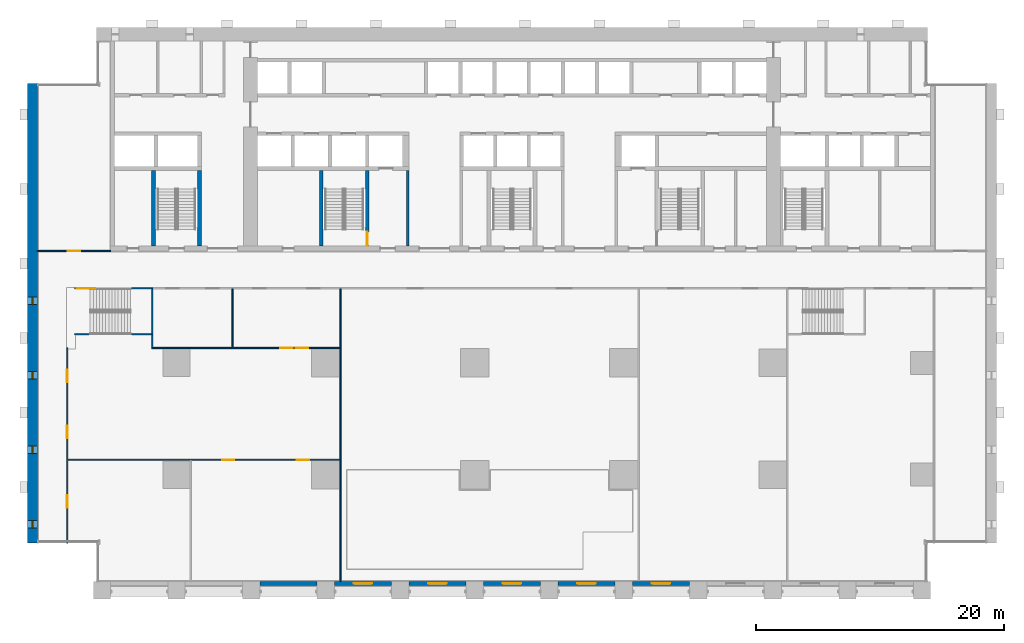
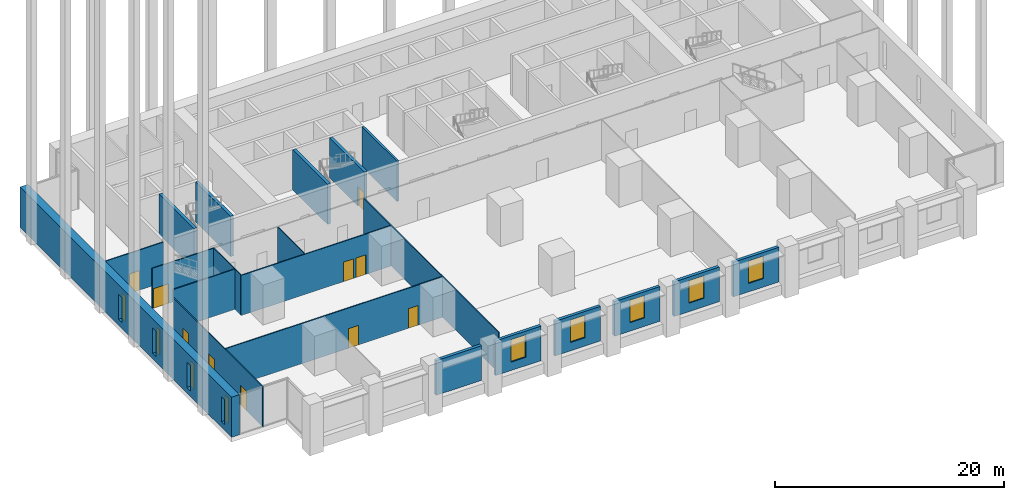
# One storey, part 7 of 17: 22 walls, 10 doors, 9 windows, 19 openings.
"""IFC4 building model written with IfcOpenShell, lengths in metres."""

from ifc_helpers import new_model, si_unit, direction, frame, frame_2d, origin, place, context, subcontext, project, spatial, rectangle, extrude, material, layer, layer_set, type_object, element, fill, save


model = new_model("IFC4")

# Units and contexts
model_context = context("Model", 3, precision=1e-05, world=origin(), true_north=direction((0.0, 1.0)))
body_context = subcontext(model_context, "Body", "Model", "MODEL_VIEW")
ifc_project = project(units=[si_unit("LENGTHUNIT", "METRE"), si_unit("AREAUNIT", "SQUARE_METRE"), si_unit("VOLUMEUNIT", "CUBIC_METRE"), si_unit("PLANEANGLEUNIT", "RADIAN"), si_unit("MASSUNIT", "GRAM", prefix="KILO")], contexts=[model_context])

# Site, building, storey
site_placement = place(None, origin())
site = spatial("IfcSite", under=ifc_project, at=site_placement, CompositionType="ELEMENT")
building_placement = place(site_placement, origin())
building = spatial("IfcBuilding", under=site, at=building_placement, Name="Calvaro Tower", CompositionType="ELEMENT")
storey_placement = place(building_placement, frame((0.0, 0.0, 6.5)))
storey = spatial("IfcBuildingStorey", under=building, at=storey_placement, Name="L01", CompositionType="ELEMENT", Elevation=6.5)

# Walls
ifc_material_1 = material(Name="Blockwork partition", Category="masonry")
ifc_layer_1 = layer(ifc_material_1, 0.199951171875)
ifc_layer_set_1 = layer_set([ifc_layer_1], Name="Blockwork partition")
wall_type_1 = type_object("IfcWallType", Name="Core partition 200 REI 120", PredefinedType="PARTITIONING", material=ifc_layer_set_1)
wall_1_placement = place(storey_placement, frame((30.60009765625, 28.39990234375, 0.0), z_axis=(0.0, 0.0, 1.0), x_axis=(0.0, 1.0, 0.0)))
element("IfcWall", 1, at=wall_1_placement, inside=storey, type_object=wall_type_1, Name="Core partition", PredefinedType="PARTITIONING", context=body_context, shape_type="SweptSolid", body=[
    extrude(rectangle(XDim=6.10009765625, YDim=0.199951171875, at=frame_2d((3.050048828125, 0.0))), origin(), (0.0, 0.0, 1.0), 4.300048828125),
])
ifc_material_2 = material(Name="Concrete C80/95", Category="concrete")
ifc_layer_2 = layer(ifc_material_2, 0.300048828125)
ifc_layer_set_2 = layer_set([ifc_layer_2], Name="Concrete C80/95")
wall_type_2 = type_object("IfcWallType", Name="Core wall C80/95 300", PredefinedType="SHEAR", material=ifc_layer_set_2)
for number, where, z_axis, x_axis, name in (
    (2, (10.14990234375, 28.39990234375, 0.0), (0.0, 0.0, 1.0), (0.0, 1.0, 0.0), "Core wall, stair enclosure"),
    (3, (13.85009765625, 28.39990234375, 0.0), (0.0, 0.0, 1.0), (0.0, 1.0, 0.0), "Core wall, stair enclosure"),
    (4, (23.64990234375, 28.39990234375, 0.0), (0.0, 0.0, 1.0), (0.0, 1.0, 0.0), "Core wall, stair enclosure"),
):
    element("IfcWall", number, at=place(storey_placement, frame(where, z_axis=z_axis, x_axis=x_axis)), inside=storey, type_object=wall_type_2, Name=name, PredefinedType="SHEAR", context=body_context, shape_type="SweptSolid", body=[
        extrude(rectangle(XDim=6.10009765625, YDim=0.300048828125, at=frame_2d((3.050048828125, 0.0))), origin(), (0.0, 0.0, 1.0), 4.300048828125),
    ])

# Wall, opening, door
wall_2_placement = place(storey_placement, frame((27.35009765625, 28.39990234375, 0.0), z_axis=(0.0, 0.0, 1.0), x_axis=(0.0, 1.0, 0.0)))
wall_2 = element("IfcWall", 5, at=wall_2_placement, inside=storey, type_object=wall_type_2, Name="Core wall, stair enclosure", PredefinedType="SHEAR", context=body_context, shape_type="SweptSolid", body=[
    extrude(rectangle(XDim=6.10009765625, YDim=0.300048828125, at=frame_2d((3.050048828125, 0.0))), origin(), (0.0, 0.0, 1.0), 4.300048828125),
])
opening_1_placement = place(wall_2_placement, frame((0.050048828125, 0.0, 0.0)))
opening_1 = element("IfcOpeningElement", 6, at=opening_1_placement, cuts=wall_2, Name="Opening FD11D", PredefinedType="OPENING", context=body_context, shape_type="SweptSolid", body=[
    extrude(rectangle(XDim=1.10009765625, YDim=2.10009765625, at=frame_2d((0.550048828125, 1.050048828125))), frame((0.0, 0.159912109375, 0.0), z_axis=(0.0, -1.0, 0.0), x_axis=(1.0, 0.0, 0.0)), (0.0, 0.0, 1.0), 0.320068359375),
])
ifc_material_3 = material(Name="Steel door set", Category="steel")
door_type_1 = type_object("IfcDoorType", Name="Fire door 1100 FD30S", OperationType="SINGLE_SWING_LEFT", PredefinedType="DOOR", material=ifc_material_3)
door_1_placement = place(opening_1_placement, origin())
door_1 = element("IfcDoor", 7, at=door_1_placement, inside=storey, type_object=door_type_1, Name="Fire door", OperationType="SINGLE_SWING_LEFT", OverallHeight=2.10009765625, OverallWidth=1.10009765625, PredefinedType="DOOR", context=body_context, shape_type="SweptSolid", body=[
    extrude(rectangle(XDim=1.10009765625, YDim=2.10009765625, at=frame_2d((0.550048828125, 1.050048828125))), frame((0.0, 0.02490234375, 0.0), z_axis=(0.0, -1.0, 0.0), x_axis=(1.0, 0.0, 0.0)), (0.0, 0.0, 1.0), 0.050048828125),
])
fill(opening_1, door_1)

# Wall, openings, windows
ifc_material_4 = material(Name="Concrete C80/95", Category="concrete")
ifc_layer_3 = layer(ifc_material_4, 0.800048828125)
ifc_layer_set_3 = layer_set([ifc_layer_3], Name="Concrete C80/95")
wall_type_3 = type_object("IfcWallType", Name="End wall 800 C80/95", PredefinedType="SHEAR", material=ifc_layer_set_3)
wall_3_placement = place(storey_placement, frame((0.39990234375, 4.5, 0.0), z_axis=(0.0, 0.0, 1.0), x_axis=(0.0, 1.0, 0.0)))
wall_3 = element("IfcWall", 8, at=wall_3_placement, inside=storey, type_object=wall_type_3, Name="End shear wall", PredefinedType="SHEAR", context=body_context, shape_type="SweptSolid", body=[
    extrude(rectangle(XDim=37.0, YDim=0.800048828125, at=frame_2d((18.5, 0.0))), origin(), (0.0, 0.0, 1.0), 4.300048828125),
])
opening_2_placement = place(wall_3_placement, frame((1.199951171875, 0.0, 0.60009765625)))
opening_2 = element("IfcOpeningElement", 9, at=opening_2_placement, cuts=wall_3, Name="Opening WW01", PredefinedType="OPENING", context=body_context, shape_type="SweptSolid", body=[
    extrude(rectangle(XDim=0.60009765625, YDim=2.699951171875, at=frame_2d((0.300048828125, 1.35009765625))), frame((0.0, 0.409912109375, 0.0), z_axis=(0.0, -1.0, 0.0), x_axis=(1.0, 0.0, 0.0)), (0.0, 0.0, 1.0), 0.820068359375),
])
opening_3_placement = place(wall_3_placement, frame((7.199951171875, 0.0, 0.60009765625)))
opening_3 = element("IfcOpeningElement", 10, at=opening_3_placement, cuts=wall_3, Name="Opening WW02", PredefinedType="OPENING", context=body_context, shape_type="SweptSolid", body=[
    extrude(rectangle(XDim=0.60009765625, YDim=2.699951171875, at=frame_2d((0.300048828125, 1.35009765625))), frame((0.0, 0.409912109375, 0.0), z_axis=(0.0, -1.0, 0.0), x_axis=(1.0, 0.0, 0.0)), (0.0, 0.0, 1.0), 0.820068359375),
])
opening_4_placement = place(wall_3_placement, frame((13.199951171875, 0.0, 0.60009765625)))
opening_4 = element("IfcOpeningElement", 11, at=opening_4_placement, cuts=wall_3, Name="Opening WW03", PredefinedType="OPENING", context=body_context, shape_type="SweptSolid", body=[
    extrude(rectangle(XDim=0.60009765625, YDim=2.699951171875, at=frame_2d((0.300048828125, 1.35009765625))), frame((0.0, 0.409912109375, 0.0), z_axis=(0.0, -1.0, 0.0), x_axis=(1.0, 0.0, 0.0)), (0.0, 0.0, 1.0), 0.820068359375),
])
opening_5_placement = place(wall_3_placement, frame((19.199951171875, 0.0, 0.60009765625)))
opening_5 = element("IfcOpeningElement", 12, at=opening_5_placement, cuts=wall_3, Name="Opening WW04", PredefinedType="OPENING", context=body_context, shape_type="SweptSolid", body=[
    extrude(rectangle(XDim=0.60009765625, YDim=2.699951171875, at=frame_2d((0.300048828125, 1.35009765625))), frame((0.0, 0.409912109375, 0.0), z_axis=(0.0, -1.0, 0.0), x_axis=(1.0, 0.0, 0.0)), (0.0, 0.0, 1.0), 0.820068359375),
])
ifc_material_5 = material(Name="Glass", Category="glass")
window_type_1 = type_object("IfcWindowType", Name="Slit window 600 x 2700", PartitioningType="SINGLE_PANEL", PredefinedType="WINDOW", material=ifc_material_5)
window_1_placement = place(opening_2_placement, origin())
window_1 = element("IfcWindow", 13, at=window_1_placement, inside=storey, type_object=window_type_1, Name="Window WW01", OverallHeight=2.699951171875, OverallWidth=0.60009765625, PartitioningType="SINGLE_PANEL", PredefinedType="WINDOW", context=body_context, shape_type="SweptSolid", body=[
    extrude(rectangle(XDim=0.60009765625, YDim=2.699951171875, at=frame_2d((0.300048828125, 1.35009765625))), frame((0.0, 0.030029296875, 0.0), z_axis=(0.0, -1.0, 0.0), x_axis=(1.0, 0.0, 0.0)), (0.0, 0.0, 1.0), 0.06005859375),
])
fill(opening_2, window_1)
window_2_placement = place(opening_3_placement, origin())
window_2 = element("IfcWindow", 14, at=window_2_placement, inside=storey, type_object=window_type_1, Name="Window WW02", OverallHeight=2.699951171875, OverallWidth=0.60009765625, PartitioningType="SINGLE_PANEL", PredefinedType="WINDOW", context=body_context, shape_type="SweptSolid", body=[
    extrude(rectangle(XDim=0.60009765625, YDim=2.699951171875, at=frame_2d((0.300048828125, 1.35009765625))), frame((0.0, 0.030029296875, 0.0), z_axis=(0.0, -1.0, 0.0), x_axis=(1.0, 0.0, 0.0)), (0.0, 0.0, 1.0), 0.06005859375),
])
fill(opening_3, window_2)
window_3_placement = place(opening_4_placement, origin())
window_3 = element("IfcWindow", 15, at=window_3_placement, inside=storey, type_object=window_type_1, Name="Window WW03", OverallHeight=2.699951171875, OverallWidth=0.60009765625, PartitioningType="SINGLE_PANEL", PredefinedType="WINDOW", context=body_context, shape_type="SweptSolid", body=[
    extrude(rectangle(XDim=0.60009765625, YDim=2.699951171875, at=frame_2d((0.300048828125, 1.35009765625))), frame((0.0, 0.030029296875, 0.0), z_axis=(0.0, -1.0, 0.0), x_axis=(1.0, 0.0, 0.0)), (0.0, 0.0, 1.0), 0.06005859375),
])
fill(opening_4, window_3)
window_4_placement = place(opening_5_placement, origin())
window_4 = element("IfcWindow", 16, at=window_4_placement, inside=storey, type_object=window_type_1, Name="Window WW04", OverallHeight=2.699951171875, OverallWidth=0.60009765625, PartitioningType="SINGLE_PANEL", PredefinedType="WINDOW", context=body_context, shape_type="SweptSolid", body=[
    extrude(rectangle(XDim=0.60009765625, YDim=2.699951171875, at=frame_2d((0.300048828125, 1.35009765625))), frame((0.0, 0.030029296875, 0.0), z_axis=(0.0, -1.0, 0.0), x_axis=(1.0, 0.0, 0.0)), (0.0, 0.0, 1.0), 0.06005859375),
])
fill(opening_5, window_4)

# Wall
ifc_material_6 = material(Name="Plasterboard on steel studs", Category="steel")
ifc_layer_4 = layer(ifc_material_6, 0.10009765625)
ifc_layer_set_4 = layer_set([ifc_layer_4], Name="Plasterboard on steel studs")
wall_type_4 = type_object("IfcWallType", Name="Partition 100", PredefinedType="PARTITIONING", material=ifc_layer_set_4)
wall_4_placement = place(storey_placement, frame((16.5, 20.25, 0.0), z_axis=(0.0, 0.0, 1.0), x_axis=(0.0, 1.0, 0.0)))
element("IfcWall", 17, at=wall_4_placement, inside=storey, type_object=wall_type_4, Name="Partition T04.W015", PredefinedType="PARTITIONING", context=body_context, shape_type="SweptSolid", body=[
    extrude(rectangle(XDim=4.699951171875, YDim=0.10009765625, at=frame_2d((2.35009765625, 0.0))), origin(), (0.0, 0.0, 1.0), 4.300048828125),
])

# Wall, openings, doors
ifc_material_7 = material(Name="Plasterboard on steel studs", Category="steel")
ifc_layer_5 = layer(ifc_material_7, 0.10009765625)
ifc_layer_set_5 = layer_set([ifc_layer_5], Name="Plasterboard on steel studs")
wall_type_5 = type_object("IfcWallType", Name="Partition 100 EI 60", PredefinedType="PARTITIONING", material=ifc_layer_set_5)
wall_5_placement = place(storey_placement, frame((3.25, 11.199951171875, 0.0), z_axis=(0.0, 0.0, 1.0), x_axis=(1.0, 0.0, 0.0)))
wall_5 = element("IfcWall", 18, at=wall_5_placement, inside=storey, type_object=wall_type_5, Name="Partition T04.W001", PredefinedType="PARTITIONING", context=body_context, shape_type="SweptSolid", body=[
    extrude(rectangle(XDim=21.89990234375, YDim=0.10009765625, at=frame_2d((10.949951171875, 0.0))), origin(), (0.0, 0.0, 1.0), 4.300048828125),
])
opening_6_placement = place(wall_5_placement, frame((12.41259765625, 0.0, 0.0)))
opening_6 = element("IfcOpeningElement", 19, at=opening_6_placement, cuts=wall_5, Name="Opening T04.001", PredefinedType="OPENING", context=body_context, shape_type="SweptSolid", body=[
    extrude(rectangle(XDim=1.0, YDim=2.10009765625, at=frame_2d((0.5, 1.050048828125))), frame((0.0, 0.06005859375, 0.0), z_axis=(0.0, -1.0, 0.0), x_axis=(1.0, 0.0, 0.0)), (0.0, 0.0, 1.0), 0.1201171875),
])
opening_7_placement = place(wall_5_placement, frame((18.4375, 0.0, 0.0)))
opening_7 = element("IfcOpeningElement", 20, at=opening_7_placement, cuts=wall_5, Name="Opening T04.002", PredefinedType="OPENING", context=body_context, shape_type="SweptSolid", body=[
    extrude(rectangle(XDim=1.0, YDim=2.10009765625, at=frame_2d((0.5, 1.050048828125))), frame((0.0, 0.06005859375, 0.0), z_axis=(0.0, -1.0, 0.0), x_axis=(1.0, 0.0, 0.0)), (0.0, 0.0, 1.0), 0.1201171875),
])
ifc_material_8 = material(Name="Timber", Category="wood")
door_type_2 = type_object("IfcDoorType", Name="Internal single door 1000 x 2100 FD30", OperationType="SINGLE_SWING_LEFT", PredefinedType="DOOR", material=ifc_material_8)
door_2_placement = place(opening_6_placement, origin())
door_2 = element("IfcDoor", 21, at=door_2_placement, inside=storey, type_object=door_type_2, Name="Door T04.001", OperationType="SINGLE_SWING_RIGHT", OverallHeight=2.10009765625, OverallWidth=1.0, PredefinedType="DOOR", context=body_context, shape_type="SweptSolid", body=[
    extrude(rectangle(XDim=1.0, YDim=2.10009765625, at=frame_2d((0.5, 1.050048828125))), frame((0.0, 0.02490234375, 0.0), z_axis=(0.0, -1.0, 0.0), x_axis=(1.0, 0.0, 0.0)), (0.0, 0.0, 1.0), 0.050048828125),
])
fill(opening_6, door_2)
door_3_placement = place(opening_7_placement, origin())
door_3 = element("IfcDoor", 22, at=door_3_placement, inside=storey, type_object=door_type_2, Name="Door T04.002", OperationType="SINGLE_SWING_RIGHT", OverallHeight=2.10009765625, OverallWidth=1.0, PredefinedType="DOOR", context=body_context, shape_type="SweptSolid", body=[
    extrude(rectangle(XDim=1.0, YDim=2.10009765625, at=frame_2d((0.5, 1.050048828125))), frame((0.0, 0.02490234375, 0.0), z_axis=(0.0, -1.0, 0.0), x_axis=(1.0, 0.0, 0.0)), (0.0, 0.0, 1.0), 0.050048828125),
])
fill(opening_7, door_3)

# Wall, opening, door
wall_6_placement = place(storey_placement, frame((0.800048828125, 28.0, 0.0), z_axis=(0.0, 0.0, 1.0), x_axis=(1.0, 0.0, 0.0)))
wall_6 = element("IfcWall", 23, at=wall_6_placement, inside=storey, type_object=wall_type_5, Name="Partition T04.W009", PredefinedType="PARTITIONING", context=body_context, shape_type="SweptSolid", body=[
    extrude(rectangle(XDim=5.89990234375, YDim=0.10009765625, at=frame_2d((2.949951171875, 0.0))), origin(), (0.0, 0.0, 1.0), 4.300048828125),
])
opening_8_placement = place(wall_6_placement, frame((2.449951171875, 0.0, 0.0)))
opening_8 = element("IfcOpeningElement", 24, at=opening_8_placement, cuts=wall_6, Name="Opening T04.022", PredefinedType="OPENING", context=body_context, shape_type="SweptSolid", body=[
    extrude(rectangle(XDim=1.0, YDim=2.10009765625, at=frame_2d((0.5, 1.050048828125))), frame((0.0, 0.06005859375, 0.0), z_axis=(0.0, -1.0, 0.0), x_axis=(1.0, 0.0, 0.0)), (0.0, 0.0, 1.0), 0.1201171875),
])
door_4_placement = place(opening_8_placement, origin())
door_4 = element("IfcDoor", 25, at=door_4_placement, inside=storey, type_object=door_type_2, Name="Door T04.022", OperationType="SINGLE_SWING_LEFT", OverallHeight=2.10009765625, OverallWidth=1.0, PredefinedType="DOOR", context=body_context, shape_type="SweptSolid", body=[
    extrude(rectangle(XDim=1.0, YDim=2.10009765625, at=frame_2d((0.5, 1.050048828125))), frame((0.0, 0.02490234375, 0.0), z_axis=(0.0, -1.0, 0.0), x_axis=(1.0, 0.0, 0.0)), (0.0, 0.0, 1.0), 0.050048828125),
])
fill(opening_8, door_4)

# Wall, openings, doors
ifc_material_9 = material(Name="Plasterboard on steel studs", Category="steel")
ifc_layer_6 = layer(ifc_material_9, 0.10009765625)
ifc_layer_set_6 = layer_set([ifc_layer_6], Name="Plasterboard on steel studs")
wall_type_6 = type_object("IfcWallType", Name="Partition 100 REI 120", PredefinedType="PARTITIONING", material=ifc_layer_set_6)
wall_7_placement = place(storey_placement, frame((10.0, 20.199951171875, 0.0), z_axis=(0.0, 0.0, 1.0), x_axis=(1.0, 0.0, 0.0)))
wall_7 = element("IfcWall", 26, at=wall_7_placement, inside=storey, type_object=wall_type_6, Name="Partition T04.W002", PredefinedType="PARTITIONING", context=body_context, shape_type="SweptSolid", body=[
    extrude(rectangle(XDim=15.14990234375, YDim=0.10009765625, at=frame_2d((7.574951171875, 0.0))), origin(), (0.0, 0.0, 1.0), 4.300048828125),
])
opening_9_placement = place(wall_7_placement, frame((10.35009765625, 0.0, 0.0)))
opening_9 = element("IfcOpeningElement", 27, at=opening_9_placement, cuts=wall_7, Name="Opening T04.013", PredefinedType="OPENING", context=body_context, shape_type="SweptSolid", body=[
    extrude(rectangle(XDim=1.0, YDim=2.10009765625, at=frame_2d((0.5, 1.050048828125))), frame((0.0, 0.06005859375, 0.0), z_axis=(0.0, -1.0, 0.0), x_axis=(1.0, 0.0, 0.0)), (0.0, 0.0, 1.0), 0.1201171875),
])
opening_10_placement = place(wall_7_placement, frame((11.60009765625, 0.0, 0.0)))
opening_10 = element("IfcOpeningElement", 28, at=opening_10_placement, cuts=wall_7, Name="Opening T04.017", PredefinedType="OPENING", context=body_context, shape_type="SweptSolid", body=[
    extrude(rectangle(XDim=1.0, YDim=2.10009765625, at=frame_2d((0.5, 1.050048828125))), frame((0.0, 0.06005859375, 0.0), z_axis=(0.0, -1.0, 0.0), x_axis=(1.0, 0.0, 0.0)), (0.0, 0.0, 1.0), 0.1201171875),
])
ifc_material_10 = material(Name="Timber", Category="wood")
door_type_3 = type_object("IfcDoorType", Name="Internal single door 1000 x 2100", OperationType="SINGLE_SWING_LEFT", PredefinedType="DOOR", material=ifc_material_10)
door_5_placement = place(opening_10_placement, origin())
door_5 = element("IfcDoor", 29, at=door_5_placement, inside=storey, type_object=door_type_3, Name="Door T04.017", OperationType="SINGLE_SWING_RIGHT", OverallHeight=2.10009765625, OverallWidth=1.0, PredefinedType="DOOR", context=body_context, shape_type="SweptSolid", body=[
    extrude(rectangle(XDim=1.0, YDim=2.10009765625, at=frame_2d((0.5, 1.050048828125))), frame((0.0, 0.02490234375, 0.0), z_axis=(0.0, -1.0, 0.0), x_axis=(1.0, 0.0, 0.0)), (0.0, 0.0, 1.0), 0.050048828125),
])
fill(opening_10, door_5)
ifc_material_11 = material(Name="Timber", Category="wood")
door_type_4 = type_object("IfcDoorType", Name="Internal single door 1000 x 2100 FD60", OperationType="SINGLE_SWING_LEFT", PredefinedType="DOOR", material=ifc_material_11)
door_6_placement = place(opening_9_placement, origin())
door_6 = element("IfcDoor", 30, at=door_6_placement, inside=storey, type_object=door_type_4, Name="Door T04.013", OperationType="SINGLE_SWING_RIGHT", OverallHeight=2.10009765625, OverallWidth=1.0, PredefinedType="DOOR", context=body_context, shape_type="SweptSolid", body=[
    extrude(rectangle(XDim=1.0, YDim=2.10009765625, at=frame_2d((0.5, 1.050048828125))), frame((0.0, 0.02490234375, 0.0), z_axis=(0.0, -1.0, 0.0), x_axis=(1.0, 0.0, 0.0)), (0.0, 0.0, 1.0), 0.050048828125),
])
fill(opening_9, door_6)

wall_8_placement = place(storey_placement, frame((3.199951171875, 4.5, 0.0), z_axis=(0.0, 0.0, 1.0), x_axis=(0.0, 1.0, 0.0)))
wall_8 = element("IfcWall", 31, at=wall_8_placement, inside=storey, type_object=wall_type_6, Name="Partition T04.W011", PredefinedType="PARTITIONING", context=body_context, shape_type="SweptSolid", body=[
    extrude(rectangle(XDim=15.699951171875, YDim=0.10009765625, at=frame_2d((7.85009765625, 0.0))), origin(), (0.0, 0.0, 1.0), 4.300048828125),
])
opening_11_placement = place(wall_8_placement, frame((2.85009765625, 0.0, 0.0)))
opening_11 = element("IfcOpeningElement", 32, at=opening_11_placement, cuts=wall_8, Name="Opening T04.003", PredefinedType="OPENING", context=body_context, shape_type="SweptSolid", body=[
    extrude(rectangle(XDim=1.0, YDim=2.10009765625, at=frame_2d((0.5, 1.050048828125))), frame((0.0, 0.06005859375, 0.0), z_axis=(0.0, -1.0, 0.0), x_axis=(1.0, 0.0, 0.0)), (0.0, 0.0, 1.0), 0.1201171875),
])
opening_12_placement = place(wall_8_placement, frame((8.449951171875, 0.0, 0.0)))
opening_12 = element("IfcOpeningElement", 33, at=opening_12_placement, cuts=wall_8, Name="Opening T04.011", PredefinedType="OPENING", context=body_context, shape_type="SweptSolid", body=[
    extrude(rectangle(XDim=1.0, YDim=2.10009765625, at=frame_2d((0.5, 1.050048828125))), frame((0.0, 0.06005859375, 0.0), z_axis=(0.0, -1.0, 0.0), x_axis=(1.0, 0.0, 0.0)), (0.0, 0.0, 1.0), 0.1201171875),
])
opening_13_placement = place(wall_8_placement, frame((12.949951171875, 0.0, 0.0)))
opening_13 = element("IfcOpeningElement", 34, at=opening_13_placement, cuts=wall_8, Name="Opening T04.012", PredefinedType="OPENING", context=body_context, shape_type="SweptSolid", body=[
    extrude(rectangle(XDim=1.0, YDim=2.10009765625, at=frame_2d((0.5, 1.050048828125))), frame((0.0, 0.06005859375, 0.0), z_axis=(0.0, -1.0, 0.0), x_axis=(1.0, 0.0, 0.0)), (0.0, 0.0, 1.0), 0.1201171875),
])
door_7_placement = place(opening_11_placement, origin())
door_7 = element("IfcDoor", 35, at=door_7_placement, inside=storey, type_object=door_type_2, Name="Door T04.003", OperationType="SINGLE_SWING_LEFT", OverallHeight=2.10009765625, OverallWidth=1.0, PredefinedType="DOOR", context=body_context, shape_type="SweptSolid", body=[
    extrude(rectangle(XDim=1.0, YDim=2.10009765625, at=frame_2d((0.5, 1.050048828125))), frame((0.0, 0.02490234375, 0.0), z_axis=(0.0, -1.0, 0.0), x_axis=(1.0, 0.0, 0.0)), (0.0, 0.0, 1.0), 0.050048828125),
])
fill(opening_11, door_7)
door_8_placement = place(opening_12_placement, origin())
door_8 = element("IfcDoor", 36, at=door_8_placement, inside=storey, type_object=door_type_4, Name="Door T04.011", OperationType="SINGLE_SWING_RIGHT", OverallHeight=2.10009765625, OverallWidth=1.0, PredefinedType="DOOR", context=body_context, shape_type="SweptSolid", body=[
    extrude(rectangle(XDim=1.0, YDim=2.10009765625, at=frame_2d((0.5, 1.050048828125))), frame((0.0, 0.02490234375, 0.0), z_axis=(0.0, -1.0, 0.0), x_axis=(1.0, 0.0, 0.0)), (0.0, 0.0, 1.0), 0.050048828125),
])
fill(opening_12, door_8)
door_9_placement = place(opening_13_placement, origin())
door_9 = element("IfcDoor", 37, at=door_9_placement, inside=storey, type_object=door_type_4, Name="Door T04.012", OperationType="SINGLE_SWING_RIGHT", OverallHeight=2.10009765625, OverallWidth=1.0, PredefinedType="DOOR", context=body_context, shape_type="SweptSolid", body=[
    extrude(rectangle(XDim=1.0, YDim=2.10009765625, at=frame_2d((0.5, 1.050048828125))), frame((0.0, 0.02490234375, 0.0), z_axis=(0.0, -1.0, 0.0), x_axis=(1.0, 0.0, 0.0)), (0.0, 0.0, 1.0), 0.050048828125),
])
fill(opening_13, door_9)

# Walls
wall_9_placement = place(storey_placement, frame((10.050048828125, 20.25, 0.0), z_axis=(0.0, 0.0, 1.0), x_axis=(0.0, 1.0, 0.0)))
element("IfcWall", 38, at=wall_9_placement, inside=storey, type_object=wall_type_6, Name="Partition T04.W012", PredefinedType="PARTITIONING", context=body_context, shape_type="SweptSolid", body=[
    extrude(rectangle(XDim=1.010009765625, YDim=0.10009765625, at=frame_2d((0.5048828125, 0.0))), origin(), (0.0, 0.0, 1.0), 4.300048828125),
])
wall_10_placement = place(storey_placement, frame((25.199951171875, 1.39990234375, 0.0), z_axis=(0.0, 0.0, 1.0), x_axis=(0.0, 1.0, 0.0)))
element("IfcWall", 39, at=wall_10_placement, inside=storey, type_object=wall_type_6, Name="Partition T04.W016", PredefinedType="PARTITIONING", context=body_context, shape_type="SweptSolid", body=[
    extrude(rectangle(XDim=23.550048828125, YDim=0.10009765625, at=frame_2d((11.77490234375, 0.0))), origin(), (0.0, 0.0, 1.0), 4.300048828125),
])
ifc_material_12 = material(Name="Concrete C40/50", Category="concrete")
ifc_layer_7 = layer(ifc_material_12, 0.10009765625)
ifc_layer_set_7 = layer_set([ifc_layer_7], Name="Concrete C40/50")
wall_type_7 = type_object("IfcWallType", Name="Stair enclosure wall 100", PredefinedType="SOLIDWALL", material=ifc_layer_set_7)
wall_11_placement = place(storey_placement, frame((3.800048828125, 21.300048828125, 0.0), z_axis=(0.0, 0.0, 1.0), x_axis=(1.0, 0.0, 0.0)))
element("IfcWall", 40, at=wall_11_placement, inside=storey, type_object=wall_type_7, Name="Stair enclosure wall T04.W003", PredefinedType="SOLIDWALL", context=body_context, shape_type="SweptSolid", body=[
    extrude(rectangle(XDim=6.199951171875, YDim=0.10009765625, at=frame_2d((3.10009765625, 0.0))), origin(), (0.0, 0.0, 1.0), 4.300048828125),
])

# Wall, opening, door
wall_12_placement = place(storey_placement, frame((3.800048828125, 25.0, 0.0), z_axis=(0.0, 0.0, 1.0), x_axis=(1.0, 0.0, 0.0)))
wall_12 = element("IfcWall", 41, at=wall_12_placement, inside=storey, type_object=wall_type_7, Name="Stair enclosure wall T04.W005", PredefinedType="SOLIDWALL", context=body_context, shape_type="SweptSolid", body=[
    extrude(rectangle(XDim=6.2900390625, YDim=0.10009765625, at=frame_2d((3.14501953125, 0.0))), origin(), (0.0, 0.0, 1.0), 4.300048828125),
])
opening_14_placement = place(wall_12_placement, frame((0.14990234375, 0.0, 0.0)))
opening_14 = element("IfcOpeningElement", 42, at=opening_14_placement, cuts=wall_12, Name="Opening T04.019", PredefinedType="OPENING", context=body_context, shape_type="SweptSolid", body=[
    extrude(rectangle(XDim=1.5, YDim=2.10009765625, at=frame_2d((0.75, 1.050048828125))), frame((0.0, 0.06005859375, 0.0), z_axis=(0.0, -1.0, 0.0), x_axis=(1.0, 0.0, 0.0)), (0.0, 0.0, 1.0), 0.1201171875),
])
ifc_material_13 = material(Name="Timber", Category="wood")
door_type_5 = type_object("IfcDoorType", Name="Internal double door 1500 x 2100 FD30S", OperationType="DOUBLE_DOOR_SINGLE_SWING", PredefinedType="DOOR", material=ifc_material_13)
door_10_placement = place(opening_14_placement, origin())
door_10 = element("IfcDoor", 43, at=door_10_placement, inside=storey, type_object=door_type_5, Name="Door T04.019", OperationType="DOUBLE_DOOR_SINGLE_SWING", OverallHeight=2.10009765625, OverallWidth=1.5, PredefinedType="DOOR", context=body_context, shape_type="SweptSolid", body=[
    extrude(rectangle(XDim=1.5, YDim=2.10009765625, at=frame_2d((0.75, 1.050048828125))), frame((0.0, 0.02490234375, 0.0), z_axis=(0.0, -1.0, 0.0), x_axis=(1.0, 0.0, 0.0)), (0.0, 0.0, 1.0), 0.050048828125),
])
fill(opening_14, door_10)

# Walls
wall_13_placement = place(storey_placement, frame((10.050048828125, 21.260009765625, 0.0), z_axis=(0.0, 0.0, 1.0), x_axis=(0.0, 1.0, 0.0)))
element("IfcWall", 44, at=wall_13_placement, inside=storey, type_object=wall_type_7, Name="Stair enclosure wall T04.W013", PredefinedType="SOLIDWALL", context=body_context, shape_type="SweptSolid", body=[
    extrude(rectangle(XDim=3.68994140625, YDim=0.10009765625, at=frame_2d((1.844970703125, 0.0))), origin(), (0.0, 0.0, 1.0), 4.300048828125),
])
ifc_material_14 = material(Name="Stone faced masonry", Category="masonry")
ifc_layer_8 = layer(ifc_material_14, 0.300048828125)
ifc_layer_set_8 = layer_set([ifc_layer_8], Name="Stone faced masonry")
wall_type_8 = type_object("IfcWallType", Name="Stone faced wall 300", PredefinedType="SOLIDWALL", material=ifc_layer_set_8)
wall_14_placement = place(storey_placement, frame((18.699951171875, 1.25, 0.0), z_axis=(0.0, 0.0, 1.0), x_axis=(1.0, 0.0, 0.0)))
element("IfcWall", 45, at=wall_14_placement, inside=storey, type_object=wall_type_8, Name="Stone faced wall", PredefinedType="SOLIDWALL", context=body_context, shape_type="SweptSolid", body=[
    extrude(rectangle(XDim=4.60009765625, YDim=0.300048828125, at=frame_2d((2.300048828125, 0.0))), origin(), (0.0, 0.0, 1.0), 3.699951171875),
])

# Wall, opening, window
wall_15_placement = place(storey_placement, frame((24.699951171875, 1.25, 0.0), z_axis=(0.0, 0.0, 1.0), x_axis=(1.0, 0.0, 0.0)))
wall_15 = element("IfcWall", 46, at=wall_15_placement, inside=storey, type_object=wall_type_8, Name="Stone faced wall", PredefinedType="SOLIDWALL", context=body_context, shape_type="SweptSolid", body=[
    extrude(rectangle(XDim=4.60009765625, YDim=0.300048828125, at=frame_2d((2.300048828125, 0.0))), origin(), (0.0, 0.0, 1.0), 3.699951171875),
])
opening_15_placement = place(wall_15_placement, frame((1.550048828125, 0.0, 0.89990234375)))
opening_15 = element("IfcOpeningElement", 47, at=opening_15_placement, cuts=wall_15, Name="Opening WS04", PredefinedType="OPENING", context=body_context, shape_type="SweptSolid", body=[
    extrude(rectangle(XDim=1.5, YDim=2.39990234375, at=frame_2d((0.75, 1.199951171875))), frame((0.0, 0.159912109375, 0.0), z_axis=(0.0, -1.0, 0.0), x_axis=(1.0, 0.0, 0.0)), (0.0, 0.0, 1.0), 0.320068359375),
])
ifc_material_15 = material(Name="Glass", Category="glass")
window_type_2 = type_object("IfcWindowType", Name="Podium window 1500 x 2400", PartitioningType="SINGLE_PANEL", PredefinedType="WINDOW", material=ifc_material_15)
window_5_placement = place(opening_15_placement, origin())
window_5 = element("IfcWindow", 48, at=window_5_placement, inside=storey, type_object=window_type_2, Name="Window WS04", OverallHeight=2.39990234375, OverallWidth=1.5, PartitioningType="SINGLE_PANEL", PredefinedType="WINDOW", context=body_context, shape_type="SweptSolid", body=[
    extrude(rectangle(XDim=1.5, YDim=2.39990234375, at=frame_2d((0.75, 1.199951171875))), frame((0.0, 0.030029296875, 0.0), z_axis=(0.0, -1.0, 0.0), x_axis=(1.0, 0.0, 0.0)), (0.0, 0.0, 1.0), 0.06005859375),
])
fill(opening_15, window_5)

wall_16_placement = place(storey_placement, frame((30.699951171875, 1.25, 0.0), z_axis=(0.0, 0.0, 1.0), x_axis=(1.0, 0.0, 0.0)))
wall_16 = element("IfcWall", 49, at=wall_16_placement, inside=storey, type_object=wall_type_8, Name="Stone faced wall", PredefinedType="SOLIDWALL", context=body_context, shape_type="SweptSolid", body=[
    extrude(rectangle(XDim=4.60009765625, YDim=0.300048828125, at=frame_2d((2.300048828125, 0.0))), origin(), (0.0, 0.0, 1.0), 3.699951171875),
])
opening_16_placement = place(wall_16_placement, frame((1.550048828125, 0.0, 0.89990234375)))
opening_16 = element("IfcOpeningElement", 50, at=opening_16_placement, cuts=wall_16, Name="Opening WS05", PredefinedType="OPENING", context=body_context, shape_type="SweptSolid", body=[
    extrude(rectangle(XDim=1.5, YDim=2.39990234375, at=frame_2d((0.75, 1.199951171875))), frame((0.0, 0.159912109375, 0.0), z_axis=(0.0, -1.0, 0.0), x_axis=(1.0, 0.0, 0.0)), (0.0, 0.0, 1.0), 0.320068359375),
])
window_6_placement = place(opening_16_placement, origin())
window_6 = element("IfcWindow", 51, at=window_6_placement, inside=storey, type_object=window_type_2, Name="Window WS05", OverallHeight=2.39990234375, OverallWidth=1.5, PartitioningType="SINGLE_PANEL", PredefinedType="WINDOW", context=body_context, shape_type="SweptSolid", body=[
    extrude(rectangle(XDim=1.5, YDim=2.39990234375, at=frame_2d((0.75, 1.199951171875))), frame((0.0, 0.030029296875, 0.0), z_axis=(0.0, -1.0, 0.0), x_axis=(1.0, 0.0, 0.0)), (0.0, 0.0, 1.0), 0.06005859375),
])
fill(opening_16, window_6)

wall_17_placement = place(storey_placement, frame((36.699951171875, 1.25, 0.0), z_axis=(0.0, 0.0, 1.0), x_axis=(1.0, 0.0, 0.0)))
wall_17 = element("IfcWall", 52, at=wall_17_placement, inside=storey, type_object=wall_type_8, Name="Stone faced wall", PredefinedType="SOLIDWALL", context=body_context, shape_type="SweptSolid", body=[
    extrude(rectangle(XDim=4.60009765625, YDim=0.300048828125, at=frame_2d((2.300048828125, 0.0))), origin(), (0.0, 0.0, 1.0), 3.699951171875),
])
opening_17_placement = place(wall_17_placement, frame((1.550048828125, 0.0, 0.89990234375)))
opening_17 = element("IfcOpeningElement", 53, at=opening_17_placement, cuts=wall_17, Name="Opening WS06", PredefinedType="OPENING", context=body_context, shape_type="SweptSolid", body=[
    extrude(rectangle(XDim=1.5, YDim=2.39990234375, at=frame_2d((0.75, 1.199951171875))), frame((0.0, 0.159912109375, 0.0), z_axis=(0.0, -1.0, 0.0), x_axis=(1.0, 0.0, 0.0)), (0.0, 0.0, 1.0), 0.320068359375),
])
window_7_placement = place(opening_17_placement, origin())
window_7 = element("IfcWindow", 54, at=window_7_placement, inside=storey, type_object=window_type_2, Name="Window WS06", OverallHeight=2.39990234375, OverallWidth=1.5, PartitioningType="SINGLE_PANEL", PredefinedType="WINDOW", context=body_context, shape_type="SweptSolid", body=[
    extrude(rectangle(XDim=1.5, YDim=2.39990234375, at=frame_2d((0.75, 1.199951171875))), frame((0.0, 0.030029296875, 0.0), z_axis=(0.0, -1.0, 0.0), x_axis=(1.0, 0.0, 0.0)), (0.0, 0.0, 1.0), 0.06005859375),
])
fill(opening_17, window_7)

wall_18_placement = place(storey_placement, frame((42.699951171875, 1.25, 0.0), z_axis=(0.0, 0.0, 1.0), x_axis=(1.0, 0.0, 0.0)))
wall_18 = element("IfcWall", 55, at=wall_18_placement, inside=storey, type_object=wall_type_8, Name="Stone faced wall", PredefinedType="SOLIDWALL", context=body_context, shape_type="SweptSolid", body=[
    extrude(rectangle(XDim=4.60009765625, YDim=0.300048828125, at=frame_2d((2.300048828125, 0.0))), origin(), (0.0, 0.0, 1.0), 3.699951171875),
])
opening_18_placement = place(wall_18_placement, frame((1.550048828125, 0.0, 0.89990234375)))
opening_18 = element("IfcOpeningElement", 56, at=opening_18_placement, cuts=wall_18, Name="Opening WS07", PredefinedType="OPENING", context=body_context, shape_type="SweptSolid", body=[
    extrude(rectangle(XDim=1.5, YDim=2.39990234375, at=frame_2d((0.75, 1.199951171875))), frame((0.0, 0.159912109375, 0.0), z_axis=(0.0, -1.0, 0.0), x_axis=(1.0, 0.0, 0.0)), (0.0, 0.0, 1.0), 0.320068359375),
])
window_8_placement = place(opening_18_placement, origin())
window_8 = element("IfcWindow", 57, at=window_8_placement, inside=storey, type_object=window_type_2, Name="Window WS07", OverallHeight=2.39990234375, OverallWidth=1.5, PartitioningType="SINGLE_PANEL", PredefinedType="WINDOW", context=body_context, shape_type="SweptSolid", body=[
    extrude(rectangle(XDim=1.5, YDim=2.39990234375, at=frame_2d((0.75, 1.199951171875))), frame((0.0, 0.030029296875, 0.0), z_axis=(0.0, -1.0, 0.0), x_axis=(1.0, 0.0, 0.0)), (0.0, 0.0, 1.0), 0.06005859375),
])
fill(opening_18, window_8)

wall_19_placement = place(storey_placement, frame((48.699951171875, 1.25, 0.0), z_axis=(0.0, 0.0, 1.0), x_axis=(1.0, 0.0, 0.0)))
wall_19 = element("IfcWall", 58, at=wall_19_placement, inside=storey, type_object=wall_type_8, Name="Stone faced wall", PredefinedType="SOLIDWALL", context=body_context, shape_type="SweptSolid", body=[
    extrude(rectangle(XDim=4.60009765625, YDim=0.300048828125, at=frame_2d((2.300048828125, 0.0))), origin(), (0.0, 0.0, 1.0), 3.699951171875),
])
opening_19_placement = place(wall_19_placement, frame((1.550048828125, 0.0, 0.89990234375)))
opening_19 = element("IfcOpeningElement", 59, at=opening_19_placement, cuts=wall_19, Name="Opening WS08", PredefinedType="OPENING", context=body_context, shape_type="SweptSolid", body=[
    extrude(rectangle(XDim=1.5, YDim=2.39990234375, at=frame_2d((0.75, 1.199951171875))), frame((0.0, 0.159912109375, 0.0), z_axis=(0.0, -1.0, 0.0), x_axis=(1.0, 0.0, 0.0)), (0.0, 0.0, 1.0), 0.320068359375),
])
window_9_placement = place(opening_19_placement, origin())
window_9 = element("IfcWindow", 60, at=window_9_placement, inside=storey, type_object=window_type_2, Name="Window WS08", OverallHeight=2.39990234375, OverallWidth=1.5, PartitioningType="SINGLE_PANEL", PredefinedType="WINDOW", context=body_context, shape_type="SweptSolid", body=[
    extrude(rectangle(XDim=1.5, YDim=2.39990234375, at=frame_2d((0.75, 1.199951171875))), frame((0.0, 0.030029296875, 0.0), z_axis=(0.0, -1.0, 0.0), x_axis=(1.0, 0.0, 0.0)), (0.0, 0.0, 1.0), 0.06005859375),
])
fill(opening_19, window_9)

save(model, "model.ifc")
